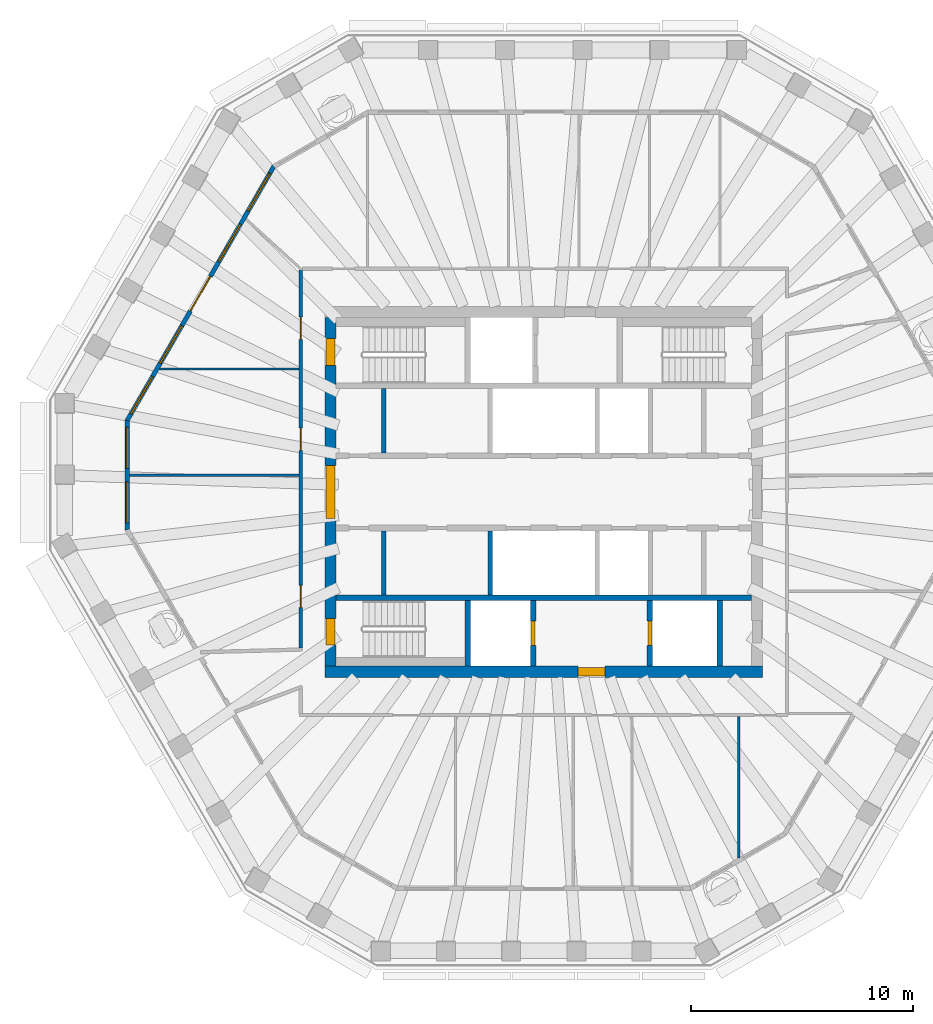
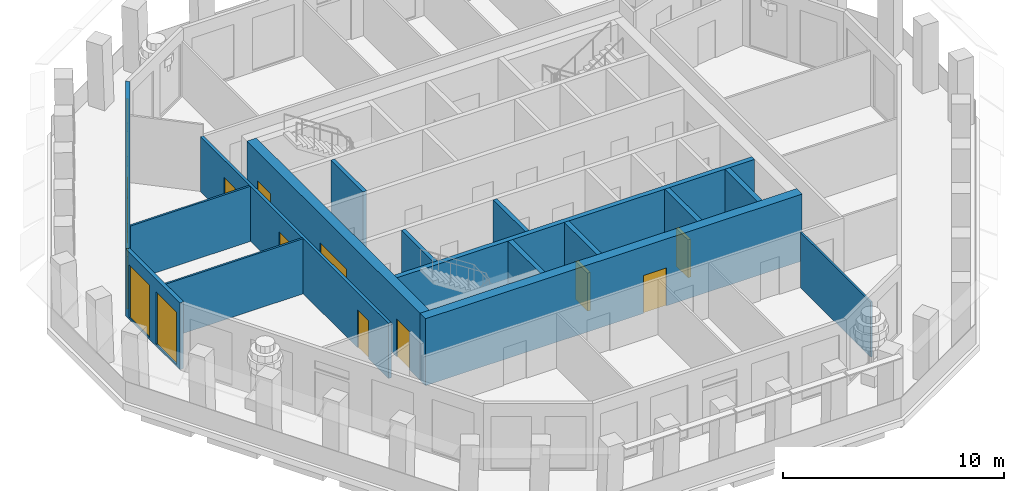
# One storey, part 4 of 11: 16 walls, 10 doors, 7 windows, 17 openings.
"""IFC4 building model written with IfcOpenShell, lengths in metres."""

from ifc_helpers import new_model, si_unit, direction, frame, frame_2d, origin, place, context, subcontext, project, spatial, polyline, rectangle, outline, extrude, material, layer, layer_set, type_object, element, fill, save


model = new_model("IFC4")

# Units and contexts
model_context = context("Model", 3, precision=1e-05, world=origin(), true_north=direction((0.0, 1.0)))
body_context = subcontext(model_context, "Body", "Model", "MODEL_VIEW")
ifc_project = project(units=[si_unit("LENGTHUNIT", "METRE"), si_unit("AREAUNIT", "SQUARE_METRE"), si_unit("VOLUMEUNIT", "CUBIC_METRE"), si_unit("PLANEANGLEUNIT", "RADIAN"), si_unit("MASSUNIT", "GRAM", prefix="KILO")], contexts=[model_context])

# Site, building, storey
site_placement = place(None, origin())
site = spatial("IfcSite", under=ifc_project, at=site_placement, CompositionType="ELEMENT")
building_placement = place(site_placement, origin())
building = spatial("IfcBuilding", under=site, at=building_placement, Name="Frailejon Research Tower", CompositionType="ELEMENT")
storey_placement = place(building_placement, frame((0.0, 0.0, 332.60009765625)))
storey = spatial("IfcBuildingStorey", under=building, at=storey_placement, Name="L74", CompositionType="ELEMENT", Elevation=332.60009765625)

# Wall, opening, door
ifc_material_1 = material(Name="Concrete C50/60", Category="concrete")
ifc_layer_1 = layer(ifc_material_1, 0.5)
ifc_layer_set_1 = layer_set([ifc_layer_1], Name="Core shear wall 500 C50/60")
wall_type_1 = type_object("IfcWallType", Name="Core shear wall 500 C50/60", PredefinedType="SHEAR", material=ifc_layer_set_1)
wall_1_placement = place(storey_placement, frame((-9.85009765625, -8.10009765625, 0.0), z_axis=(0.0, 0.0, 1.0), x_axis=(1.0, 0.0, 0.0)))
wall_1 = element("IfcWall", 1, at=wall_1_placement, inside=storey, type_object=wall_type_1, Name="Core shear wall", PredefinedType="SHEAR", context=body_context, shape_type="SweptSolid", body=[
    extrude(rectangle(XDim=19.7001953125, YDim=0.5, at=frame_2d((9.85009765625, 0.0))), origin(), (0.0, 0.0, 1.0), 3.699951171875),
])
opening_1_placement = place(wall_1_placement, frame((11.39990234375, 0.0, 0.0)))
opening_1 = element("IfcOpeningElement", 2, at=opening_1_placement, cuts=wall_1, Name="Opening D3", PredefinedType="OPENING", context=body_context, shape_type="SweptSolid", body=[
    extrude(rectangle(XDim=1.199951171875, YDim=2.10009765625, at=frame_2d((0.60009765625, 1.050048828125))), frame((0.0, 0.260009765625, 0.0), z_axis=(0.0, -1.0, 0.0), x_axis=(1.0, 0.0, 0.0)), (0.0, 0.0, 1.0), 0.52001953125),
])
ifc_material_2 = material(Name="Steel", Category="steel")
door_type_1 = type_object("IfcDoorType", Name="Firefighting lobby door", OperationType="SINGLE_SWING_LEFT", PredefinedType="DOOR", material=ifc_material_2)
door_1_placement = place(opening_1_placement, origin())
door_1 = element("IfcDoor", 3, at=door_1_placement, inside=storey, type_object=door_type_1, Name="Firefighting lobby door", OperationType="SINGLE_SWING_LEFT", OverallHeight=2.10009765625, OverallWidth=1.199951171875, PredefinedType="DOOR", context=body_context, shape_type="SweptSolid", body=[
    extrude(rectangle(XDim=1.199951171875, YDim=2.10009765625, at=frame_2d((0.60009765625, 1.050048828125))), frame((0.0, 0.199951171875, 0.0), z_axis=(0.0, -1.0, 0.0), x_axis=(1.0, 0.0, 0.0)), (0.0, 0.0, 1.0), 0.39990234375),
])
fill(opening_1, door_1)

# Wall, openings, doors
wall_2_placement = place(storey_placement, frame((-9.60009765625, -7.85009765625, 0.0), z_axis=(0.0, 0.0, 1.0), x_axis=(0.0, 1.0, 0.0)))
wall_2 = element("IfcWall", 4, at=wall_2_placement, inside=storey, type_object=wall_type_1, Name="Core shear wall", PredefinedType="SHEAR", context=body_context, shape_type="SweptSolid", body=[
    extrude(rectangle(XDim=15.7001953125, YDim=0.5, at=frame_2d((7.85009765625, 0.0))), origin(), (0.0, 0.0, 1.0), 3.699951171875),
])
opening_2_placement = place(wall_2_placement, frame((6.64990234375, 0.0, 0.0)))
opening_2 = element("IfcOpeningElement", 5, at=opening_2_placement, cuts=wall_2, Name="Opening D2", PredefinedType="OPENING", context=body_context, shape_type="SweptSolid", body=[
    extrude(rectangle(XDim=2.39990234375, YDim=2.10009765625, at=frame_2d((1.199951171875, 1.050048828125))), frame((0.0, 0.260009765625, 0.0), z_axis=(0.0, -1.0, 0.0), x_axis=(1.0, 0.0, 0.0)), (0.0, 0.0, 1.0), 0.52001953125),
])
opening_3_placement = place(wall_2_placement, frame((13.550048828125, 0.0, 0.0)))
opening_3 = element("IfcOpeningElement", 6, at=opening_3_placement, cuts=wall_2, Name="Opening D1", PredefinedType="OPENING", context=body_context, shape_type="SweptSolid", body=[
    extrude(rectangle(XDim=1.199951171875, YDim=2.10009765625, at=frame_2d((0.60009765625, 1.050048828125))), frame((0.0, 0.260009765625, 0.0), z_axis=(0.0, -1.0, 0.0), x_axis=(1.0, 0.0, 0.0)), (0.0, 0.0, 1.0), 0.52001953125),
])
opening_4_placement = place(wall_2_placement, frame((0.949951171875, 0.0, 0.0)))
opening_4 = element("IfcOpeningElement", 7, at=opening_4_placement, cuts=wall_2, Name="Opening D1", PredefinedType="OPENING", context=body_context, shape_type="SweptSolid", body=[
    extrude(rectangle(XDim=1.199951171875, YDim=2.10009765625, at=frame_2d((0.60009765625, 1.050048828125))), frame((0.0, 0.260009765625, 0.0), z_axis=(0.0, -1.0, 0.0), x_axis=(1.0, 0.0, 0.0)), (0.0, 0.0, 1.0), 0.52001953125),
])
ifc_material_3 = material(Name="Steel", Category="steel")
door_type_2 = type_object("IfcDoorType", Name="Lobby double door", OperationType="DOUBLE_DOOR_SINGLE_SWING", PredefinedType="DOOR", material=ifc_material_3)
door_2_placement = place(opening_2_placement, origin())
door_2 = element("IfcDoor", 8, at=door_2_placement, inside=storey, type_object=door_type_2, Name="Lobby door", OperationType="DOUBLE_DOOR_SINGLE_SWING", OverallHeight=2.10009765625, OverallWidth=2.39990234375, PredefinedType="DOOR", context=body_context, shape_type="SweptSolid", body=[
    extrude(rectangle(XDim=2.39990234375, YDim=2.10009765625, at=frame_2d((1.199951171875, 1.050048828125))), frame((0.0, 0.199951171875, 0.0), z_axis=(0.0, -1.0, 0.0), x_axis=(1.0, 0.0, 0.0)), (0.0, 0.0, 1.0), 0.39990234375),
])
fill(opening_2, door_2)
ifc_material_4 = material(Name="Steel", Category="steel")
door_type_3 = type_object("IfcDoorType", Name="Stair door", OperationType="SINGLE_SWING_LEFT", PredefinedType="DOOR", material=ifc_material_4)
door_3_placement = place(opening_3_placement, origin())
door_3 = element("IfcDoor", 9, at=door_3_placement, inside=storey, type_object=door_type_3, Name="Stair door ST1", OperationType="SINGLE_SWING_RIGHT", OverallHeight=2.10009765625, OverallWidth=1.199951171875, PredefinedType="DOOR", context=body_context, shape_type="SweptSolid", body=[
    extrude(rectangle(XDim=1.199951171875, YDim=2.10009765625, at=frame_2d((0.60009765625, 1.050048828125))), frame((0.0, 0.199951171875, 0.0), z_axis=(0.0, -1.0, 0.0), x_axis=(1.0, 0.0, 0.0)), (0.0, 0.0, 1.0), 0.39990234375),
])
fill(opening_3, door_3)
door_4_placement = place(opening_4_placement, origin())
door_4 = element("IfcDoor", 10, at=door_4_placement, inside=storey, type_object=door_type_3, Name="Stair door ST2", OperationType="SINGLE_SWING_LEFT", OverallHeight=2.10009765625, OverallWidth=1.199951171875, PredefinedType="DOOR", context=body_context, shape_type="SweptSolid", body=[
    extrude(rectangle(XDim=1.199951171875, YDim=2.10009765625, at=frame_2d((0.60009765625, 1.050048828125))), frame((0.0, 0.199951171875, 0.0), z_axis=(0.0, -1.0, 0.0), x_axis=(1.0, 0.0, 0.0)), (0.0, 0.0, 1.0), 0.39990234375),
])
fill(opening_4, door_4)

ifc_material_5 = material(Name="Gypsum board and masonry partition", Category="masonry")
ifc_layer_2 = layer(ifc_material_5, 0.14990234375)
ifc_layer_set_2 = layer_set([ifc_layer_2], Name="Corridor wall EI 60, gypsum on steel studs 150")
wall_type_2 = type_object("IfcWallType", Name="Corridor wall EI 60, gypsum on steel studs 150", PredefinedType="PARTITIONING", material=ifc_layer_set_2)
wall_3_placement = place(storey_placement, frame((-10.949951171875, -7.02490234375, 0.0), z_axis=(0.0, 0.0, 1.0), x_axis=(0.0, 1.0, 0.0)))
wall_3 = element("IfcWall", 11, at=wall_3_placement, inside=storey, type_object=wall_type_2, Name="T:IW:L74:007", PredefinedType="PARTITIONING", context=body_context, shape_type="SweptSolid", body=[
    extrude(rectangle(XDim=17.02490234375, YDim=0.14990234375, at=frame_2d((8.512451171875, 0.0))), origin(), (0.0, 0.0, 1.0), 3.0498046875),
])
opening_5_placement = place(wall_3_placement, frame((13.893798828125, 0.0, 0.0)))
opening_5 = element("IfcOpeningElement", 12, at=opening_5_placement, cuts=wall_3, Name="Opening D2387", PredefinedType="OPENING", context=body_context, shape_type="SweptSolid", body=[
    extrude(rectangle(XDim=1.0, YDim=2.10009765625, at=frame_2d((0.5, 1.050048828125))), frame((0.0, 0.0849609375, 0.0), z_axis=(0.0, -1.0, 0.0), x_axis=(1.0, 0.0, 0.0)), (0.0, 0.0, 1.0), 0.169921875),
])
opening_6_placement = place(wall_3_placement, frame((8.89892578125, 0.0, 0.0)))
opening_6 = element("IfcOpeningElement", 13, at=opening_6_placement, cuts=wall_3, Name="Opening D2388", PredefinedType="OPENING", context=body_context, shape_type="SweptSolid", body=[
    extrude(rectangle(XDim=1.0, YDim=2.10009765625, at=frame_2d((0.5, 1.050048828125))), frame((0.0, 0.0849609375, 0.0), z_axis=(0.0, -1.0, 0.0), x_axis=(1.0, 0.0, 0.0)), (0.0, 0.0, 1.0), 0.169921875),
])
opening_7_placement = place(wall_3_placement, frame((1.813720703125, 0.0, 0.0)))
opening_7 = element("IfcOpeningElement", 14, at=opening_7_placement, cuts=wall_3, Name="Opening D2389", PredefinedType="OPENING", context=body_context, shape_type="SweptSolid", body=[
    extrude(rectangle(XDim=1.0, YDim=2.10009765625, at=frame_2d((0.5, 1.050048828125))), frame((0.0, 0.0849609375, 0.0), z_axis=(0.0, -1.0, 0.0), x_axis=(1.0, 0.0, 0.0)), (0.0, 0.0, 1.0), 0.169921875),
])
ifc_material_6 = material(Name="Timber door leaf", Category="wood")
door_type_4 = type_object("IfcDoorType", Name="Door single leaf, timber, steel frame 1000", OperationType="NOTDEFINED", PredefinedType="DOOR", material=ifc_material_6)
door_5_placement = place(opening_5_placement, origin())
door_5 = element("IfcDoor", 15, at=door_5_placement, inside=storey, type_object=door_type_4, Name="D2387", OperationType="SINGLE_SWING_LEFT", OverallHeight=2.10009765625, OverallWidth=1.0, PredefinedType="DOOR", context=body_context, shape_type="SweptSolid", body=[
    extrude(rectangle(XDim=1.0, YDim=2.10009765625, at=frame_2d((0.5, 1.050048828125))), frame((0.0, 0.02490234375, 0.0), z_axis=(0.0, -1.0, 0.0), x_axis=(1.0, 0.0, 0.0)), (0.0, 0.0, 1.0), 0.050048828125),
])
fill(opening_5, door_5)
door_6_placement = place(opening_6_placement, origin())
door_6 = element("IfcDoor", 16, at=door_6_placement, inside=storey, type_object=door_type_4, Name="D2388", OperationType="SINGLE_SWING_LEFT", OverallHeight=2.10009765625, OverallWidth=1.0, PredefinedType="DOOR", context=body_context, shape_type="SweptSolid", body=[
    extrude(rectangle(XDim=1.0, YDim=2.10009765625, at=frame_2d((0.5, 1.050048828125))), frame((0.0, 0.02490234375, 0.0), z_axis=(0.0, -1.0, 0.0), x_axis=(1.0, 0.0, 0.0)), (0.0, 0.0, 1.0), 0.050048828125),
])
fill(opening_6, door_6)
door_7_placement = place(opening_7_placement, origin())
door_7 = element("IfcDoor", 17, at=door_7_placement, inside=storey, type_object=door_type_4, Name="D2389", OperationType="SINGLE_SWING_LEFT", OverallHeight=2.10009765625, OverallWidth=1.0, PredefinedType="DOOR", context=body_context, shape_type="SweptSolid", body=[
    extrude(rectangle(XDim=1.0, YDim=2.10009765625, at=frame_2d((0.5, 1.050048828125))), frame((0.0, 0.02490234375, 0.0), z_axis=(0.0, -1.0, 0.0), x_axis=(1.0, 0.0, 0.0)), (0.0, 0.0, 1.0), 0.050048828125),
])
fill(opening_7, door_7)

# Walls
ifc_material_7 = material(Name="Gypsum board and masonry partition", Category="masonry")
ifc_layer_3 = layer(ifc_material_7, 0.10009765625)
ifc_layer_set_3 = layer_set([ifc_layer_3], Name="Partition, gypsum on steel studs 100")
wall_type_3 = type_object("IfcWallType", Name="Partition, gypsum on steel studs 100", PredefinedType="PARTITIONING", material=ifc_layer_set_3)
wall_4_placement = place(storey_placement, frame((-18.6630859375, 0.754150390625, 0.0), z_axis=(0.0, 0.0, 1.0), x_axis=(1.0, 0.0, 0.0)))
element("IfcWall", 18, at=wall_4_placement, inside=storey, type_object=wall_type_3, Name="T:IW:L74:011", PredefinedType="PARTITIONING", context=body_context, shape_type="SweptSolid", body=[
    extrude(rectangle(XDim=7.63818359375, YDim=0.10009765625, at=frame_2d((3.819091796875, 0.0))), origin(), (0.0, 0.0, 1.0), 3.0498046875),
])
wall_5_placement = place(storey_placement, frame((-17.306396484375, 5.532958984375, 0.0), z_axis=(0.0, 0.0, 1.0), x_axis=(1.0, 0.0, 0.0)))
element("IfcWall", 19, at=wall_5_placement, inside=storey, type_object=wall_type_3, Name="T:IW:L74:019", PredefinedType="PARTITIONING", context=body_context, shape_type="SweptSolid", body=[
    extrude(rectangle(XDim=6.281494140625, YDim=0.10009765625, at=frame_2d((3.140625, 0.0))), origin(), (0.0, 0.0, 1.0), 3.0498046875),
])
wall_6_placement = place(storey_placement, frame((8.7783203125, -16.48193359375, 0.0), z_axis=(0.0, 0.0, 1.0), x_axis=(0.0, 1.0, 0.0)))
element("IfcWall", 20, at=wall_6_placement, inside=storey, type_object=wall_type_3, Name="T:IW:L74:023", PredefinedType="PARTITIONING", context=body_context, shape_type="SweptSolid", body=[
    extrude(rectangle(XDim=6.35693359375, YDim=0.10009765625, at=frame_2d((3.178466796875, 0.0))), origin(), (0.0, 0.0, 1.0), 3.0498046875),
])
ifc_material_8 = material(Name="Concrete C50/60", Category="concrete")
ifc_layer_4 = layer(ifc_material_8, 0.199951171875)
ifc_layer_set_4 = layer_set([ifc_layer_4], Name="Shaft wall 200 C50/60")
wall_type_4 = type_object("IfcWallType", Name="Shaft wall 200 C50/60", PredefinedType="SOLIDWALL", material=ifc_layer_set_4)
for number, where, z_axis, x_axis, name in (
    (21, (-7.199951171875, 1.75, 0.0), (0.0, 0.0, 1.0), (0.0, 1.0, 0.0), "Shaft wall"),
    (22, (-7.199951171875, -4.64990234375, 0.0), (0.0, 0.0, 1.0), (0.0, 1.0, 0.0), "Shaft wall"),
    (23, (-2.39990234375, -4.64990234375, 0.0), (0.0, 0.0, 1.0), (0.0, 1.0, 0.0), "Shaft wall"),
):
    element("IfcWall", number, at=place(storey_placement, frame(where, z_axis=z_axis, x_axis=x_axis)), inside=storey, type_object=wall_type_4, Name=name, PredefinedType="SOLIDWALL", context=body_context, shape_type="SweptSolid", body=[
        extrude(rectangle(XDim=2.89990234375, YDim=0.199951171875, at=frame_2d((1.449951171875, 0.0))), origin(), (0.0, 0.0, 1.0), 3.699951171875),
    ])
ifc_material_9 = material(Name="Concrete C50/60", Category="concrete")
ifc_layer_5 = layer(ifc_material_9, 0.25)
ifc_layer_set_5 = layer_set([ifc_layer_5], Name="Shaft wall 250 C50/60")
wall_type_5 = type_object("IfcWallType", Name="Shaft wall 250 C50/60", PredefinedType="SOLIDWALL", material=ifc_layer_set_5)
wall_7_placement = place(storey_placement, frame((-9.35009765625, -4.77490234375, 0.0), z_axis=(0.0, 0.0, 1.0), x_axis=(1.0, 0.0, 0.0)))
element("IfcWall", 24, at=wall_7_placement, inside=storey, type_object=wall_type_5, Name="Shaft wall", PredefinedType="SOLIDWALL", context=body_context, shape_type="SweptSolid", body=[
    extrude(rectangle(XDim=18.7001953125, YDim=0.25, at=frame_2d((9.35009765625, 0.0))), origin(), (0.0, 0.0, 1.0), 3.699951171875),
])
wall_8_placement = place(storey_placement, frame((-3.425048828125, -7.85009765625, 0.0), z_axis=(0.0, 0.0, 1.0), x_axis=(0.0, 1.0, 0.0)))
element("IfcWall", 25, at=wall_8_placement, inside=storey, type_object=wall_type_5, Name="Shaft wall", PredefinedType="SOLIDWALL", context=body_context, shape_type="SweptSolid", body=[
    extrude(rectangle(XDim=2.9501953125, YDim=0.25, at=frame_2d((1.47509765625, 0.0))), origin(), (0.0, 0.0, 1.0), 3.699951171875),
])

# Wall, opening, door
wall_9_placement = place(storey_placement, frame((-0.47509765625, -7.85009765625, 0.0), z_axis=(0.0, 0.0, 1.0), x_axis=(0.0, 1.0, 0.0)))
wall_9 = element("IfcWall", 26, at=wall_9_placement, inside=storey, type_object=wall_type_5, Name="Shaft wall", PredefinedType="SOLIDWALL", context=body_context, shape_type="SweptSolid", body=[
    extrude(rectangle(XDim=2.9501953125, YDim=0.25, at=frame_2d((1.47509765625, 0.0))), origin(), (0.0, 0.0, 1.0), 3.699951171875),
])
opening_8_placement = place(wall_9_placement, frame((0.925048828125, 0.0, 0.0)))
opening_8 = element("IfcOpeningElement", 27, at=opening_8_placement, cuts=wall_9, Name="Opening LD", PredefinedType="OPENING", context=body_context, shape_type="SweptSolid", body=[
    extrude(rectangle(XDim=1.10009765625, YDim=2.10009765625, at=frame_2d((0.550048828125, 1.050048828125))), frame((0.0, 0.135009765625, 0.0), z_axis=(0.0, -1.0, 0.0), x_axis=(1.0, 0.0, 0.0)), (0.0, 0.0, 1.0), 0.27001953125),
])
ifc_material_10 = material(Name="Steel", Category="steel")
door_type_5 = type_object("IfcDoorType", Name="Lift landing door", OperationType="DOUBLE_DOOR_SLIDING", PredefinedType="DOOR", material=ifc_material_10)
door_8_placement = place(opening_8_placement, origin())
door_8 = element("IfcDoor", 28, at=door_8_placement, inside=storey, type_object=door_type_5, Name="Lift landing door", OperationType="DOUBLE_DOOR_SLIDING", OverallHeight=2.10009765625, OverallWidth=1.10009765625, PredefinedType="DOOR", context=body_context, shape_type="SweptSolid", body=[
    extrude(rectangle(XDim=1.10009765625, YDim=2.10009765625, at=frame_2d((0.550048828125, 1.050048828125))), frame((0.0, 0.074951171875, 0.0), z_axis=(0.0, -1.0, 0.0), x_axis=(1.0, 0.0, 0.0)), (0.0, 0.0, 1.0), 0.14990234375),
])
fill(opening_8, door_8)

wall_10_placement = place(storey_placement, frame((4.77490234375, -7.85009765625, 0.0), z_axis=(0.0, 0.0, 1.0), x_axis=(0.0, 1.0, 0.0)))
wall_10 = element("IfcWall", 29, at=wall_10_placement, inside=storey, type_object=wall_type_5, Name="Shaft wall", PredefinedType="SOLIDWALL", context=body_context, shape_type="SweptSolid", body=[
    extrude(rectangle(XDim=2.9501953125, YDim=0.25, at=frame_2d((1.47509765625, 0.0))), origin(), (0.0, 0.0, 1.0), 3.699951171875),
])
opening_9_placement = place(wall_10_placement, frame((0.925048828125, 0.0, 0.0)))
opening_9 = element("IfcOpeningElement", 30, at=opening_9_placement, cuts=wall_10, Name="Opening LD", PredefinedType="OPENING", context=body_context, shape_type="SweptSolid", body=[
    extrude(rectangle(XDim=1.10009765625, YDim=2.10009765625, at=frame_2d((0.550048828125, 1.050048828125))), frame((0.0, 0.135009765625, 0.0), z_axis=(0.0, -1.0, 0.0), x_axis=(1.0, 0.0, 0.0)), (0.0, 0.0, 1.0), 0.27001953125),
])
door_9_placement = place(opening_9_placement, origin())
door_9 = element("IfcDoor", 31, at=door_9_placement, inside=storey, type_object=door_type_5, Name="Lift landing door", OperationType="DOUBLE_DOOR_SLIDING", OverallHeight=2.10009765625, OverallWidth=1.10009765625, PredefinedType="DOOR", context=body_context, shape_type="SweptSolid", body=[
    extrude(rectangle(XDim=1.10009765625, YDim=2.10009765625, at=frame_2d((0.550048828125, 1.050048828125))), frame((0.0, 0.074951171875, 0.0), z_axis=(0.0, -1.0, 0.0), x_axis=(1.0, 0.0, 0.0)), (0.0, 0.0, 1.0), 0.14990234375),
])
fill(opening_9, door_9)

# Wall
wall_11_placement = place(storey_placement, frame((7.925048828125, -7.85009765625, 0.0), z_axis=(0.0, 0.0, 1.0), x_axis=(0.0, 1.0, 0.0)))
element("IfcWall", 32, at=wall_11_placement, inside=storey, type_object=wall_type_5, Name="Shaft wall", PredefinedType="SOLIDWALL", context=body_context, shape_type="SweptSolid", body=[
    extrude(rectangle(XDim=2.9501953125, YDim=0.25, at=frame_2d((1.47509765625, 0.0))), origin(), (0.0, 0.0, 1.0), 3.699951171875),
])

# Wall, openings, door, windows
ifc_material_11 = material(Name="Concrete C40/50 precast window wall panel", Category="concrete")
ifc_layer_6 = layer(ifc_material_11, 0.199951171875)
ifc_layer_set_6 = layer_set([ifc_layer_6], Name="Window wall 200")
wall_type_6 = type_object("IfcWallType", Name="Window wall 200", PredefinedType="SOLIDWALL", material=ifc_layer_set_6)
wall_12_placement = place(storey_placement, frame((-12.16162109375, 14.644287109375, 0.0), z_axis=(0.0, 0.0, 1.0), x_axis=(-0.499983359811, -0.866035010789, 0.0)))
wall_12 = element("IfcWall", 33, at=wall_12_placement, inside=storey, type_object=wall_type_6, Name="Exterior wall L74", PredefinedType="SOLIDWALL", context=body_context, shape_type="SweptSolid", body=[
    extrude(outline(polyline([(-0.02685546875, -0.10009765625), (0.992919921875, -0.10009765625), (2.0126953125, -0.10009765625), (3.032470703125, -0.10009765625), (4.05224609375, -0.10009765625), (5.072021484375, -0.10009765625), (6.091796875, -0.10009765625), (7.111328125, -0.10009765625), (8.131103515625, -0.10009765625), (9.15087890625, -0.10009765625), (10.170654296875, -0.10009765625), (11.1904296875, -0.10009765625), (12.210205078125, -0.10009765625), (13.22998046875, -0.10009765625), (13.17626953125, 0.10009765625), (12.164794921875, 0.10009765625), (11.1533203125, 0.10009765625), (10.141845703125, 0.10009765625), (9.13037109375, 0.10009765625), (8.118896484375, 0.10009765625), (7.107421875, 0.10009765625), (6.095703125, 0.10009765625), (5.084228515625, 0.10009765625), (4.07275390625, 0.10009765625), (3.061279296875, 0.10009765625), (2.0498046875, 0.10009765625), (1.038330078125, 0.10009765625), (0.02685546875, 0.10009765625), (-0.02685546875, -0.10009765625)])), origin(), (0.0, 0.0, 1.0), 3.699951171875),
])
opening_10_placement = place(wall_12_placement, frame((0.34521484375, 0.0, 0.10009765625)))
opening_10 = element("IfcOpeningElement", 34, at=opening_10_placement, cuts=wall_12, Name="Opening W27", PredefinedType="OPENING", context=body_context, shape_type="SweptSolid", body=[
    extrude(rectangle(XDim=1.949951171875, YDim=2.89990234375, at=frame_2d((0.97509765625, 1.449951171875))), frame((0.0, 0.10986328125, 0.0), z_axis=(0.0, -1.0, 0.0), x_axis=(1.0, 0.0, 0.0)), (0.0, 0.0, 1.0), 0.219970703125),
])
opening_11_placement = place(wall_12_placement, frame((2.98583984375, 0.0, 0.10009765625)))
opening_11 = element("IfcOpeningElement", 35, at=opening_11_placement, cuts=wall_12, Name="Opening W27", PredefinedType="OPENING", context=body_context, shape_type="SweptSolid", body=[
    extrude(rectangle(XDim=1.949951171875, YDim=2.89990234375, at=frame_2d((0.97509765625, 1.449951171875))), frame((0.0, 0.10986328125, 0.0), z_axis=(0.0, -1.0, 0.0), x_axis=(1.0, 0.0, 0.0)), (0.0, 0.0, 1.0), 0.219970703125),
])
opening_12_placement = place(wall_12_placement, frame((5.701416015625, 0.0, 0.0)))
opening_12 = element("IfcOpeningElement", 36, at=opening_12_placement, cuts=wall_12, Name="Opening LG74-3", PredefinedType="OPENING", context=body_context, shape_type="SweptSolid", body=[
    extrude(rectangle(XDim=1.800048828125, YDim=2.39990234375, at=frame_2d((0.89990234375, 1.199951171875))), frame((0.0, 0.10986328125, 0.0), z_axis=(0.0, -1.0, 0.0), x_axis=(1.0, 0.0, 0.0)), (0.0, 0.0, 1.0), 0.219970703125),
])
opening_13_placement = place(wall_12_placement, frame((5.701416015625, 0.0, 2.550048828125)))
opening_13 = element("IfcOpeningElement", 37, at=opening_13_placement, cuts=wall_12, Name="Opening W1", PredefinedType="OPENING", context=body_context, shape_type="SweptSolid", body=[
    extrude(rectangle(XDim=1.800048828125, YDim=0.449951171875, at=frame_2d((0.89990234375, 0.22509765625))), frame((0.0, 0.10986328125, 0.0), z_axis=(0.0, -1.0, 0.0), x_axis=(1.0, 0.0, 0.0)), (0.0, 0.0, 1.0), 0.219970703125),
])
opening_14_placement = place(wall_12_placement, frame((8.26708984375, 0.0, 0.10009765625)))
opening_14 = element("IfcOpeningElement", 38, at=opening_14_placement, cuts=wall_12, Name="Opening W27", PredefinedType="OPENING", context=body_context, shape_type="SweptSolid", body=[
    extrude(rectangle(XDim=1.949951171875, YDim=2.89990234375, at=frame_2d((0.97509765625, 1.449951171875))), frame((0.0, 0.10986328125, 0.0), z_axis=(0.0, -1.0, 0.0), x_axis=(1.0, 0.0, 0.0)), (0.0, 0.0, 1.0), 0.219970703125),
])
opening_15_placement = place(wall_12_placement, frame((10.90771484375, 0.0, 0.10009765625)))
opening_15 = element("IfcOpeningElement", 39, at=opening_15_placement, cuts=wall_12, Name="Opening W27", PredefinedType="OPENING", context=body_context, shape_type="SweptSolid", body=[
    extrude(rectangle(XDim=1.949951171875, YDim=2.89990234375, at=frame_2d((0.97509765625, 1.449951171875))), frame((0.0, 0.10986328125, 0.0), z_axis=(0.0, -1.0, 0.0), x_axis=(1.0, 0.0, 0.0)), (0.0, 0.0, 1.0), 0.219970703125),
])
ifc_material_12 = material(Name="Aluminium framed glazed door leaf", Category="aluminium")
door_type_6 = type_object("IfcDoorType", Name="Loggia door 1800x2400", OperationType="DOUBLE_DOOR_SINGLE_SWING", PredefinedType="DOOR", material=ifc_material_12)
door_10_placement = place(opening_12_placement, origin())
door_10 = element("IfcDoor", 40, at=door_10_placement, inside=storey, type_object=door_type_6, Name="Door LG74-3", OperationType="DOUBLE_DOOR_SINGLE_SWING", OverallHeight=2.39990234375, OverallWidth=1.800048828125, PredefinedType="DOOR", context=body_context, shape_type="SweptSolid", body=[
    extrude(rectangle(XDim=1.800048828125, YDim=2.39990234375, at=frame_2d((0.89990234375, 1.199951171875))), frame((0.0, 0.02490234375, 0.0), z_axis=(0.0, -1.0, 0.0), x_axis=(1.0, 0.0, 0.0)), (0.0, 0.0, 1.0), 0.050048828125),
])
fill(opening_12, door_10)
ifc_material_13 = material(Name="Aluminium framed double glazing", Category="aluminium")
window_type_1 = type_object("IfcWindowType", Name="Window 1800x450", PartitioningType="SINGLE_PANEL", PredefinedType="WINDOW", material=ifc_material_13)
window_1_placement = place(opening_13_placement, origin())
window_1 = element("IfcWindow", 41, at=window_1_placement, inside=storey, type_object=window_type_1, Name="Window L74", OverallHeight=0.449951171875, OverallWidth=1.800048828125, PartitioningType="SINGLE_PANEL", PredefinedType="WINDOW", context=body_context, shape_type="SweptSolid", body=[
    extrude(rectangle(XDim=1.800048828125, YDim=0.449951171875, at=frame_2d((0.89990234375, 0.22509765625))), frame((0.0, 0.030029296875, 0.0), z_axis=(0.0, -1.0, 0.0), x_axis=(1.0, 0.0, 0.0)), (0.0, 0.0, 1.0), 0.06005859375),
])
fill(opening_13, window_1)
ifc_material_14 = material(Name="Aluminium framed double glazing", Category="aluminium")
window_type_2 = type_object("IfcWindowType", Name="Window 1950x2900", PartitioningType="SINGLE_PANEL", PredefinedType="WINDOW", material=ifc_material_14)
window_2_placement = place(opening_10_placement, origin())
window_2 = element("IfcWindow", 42, at=window_2_placement, inside=storey, type_object=window_type_2, Name="Window L74", OverallHeight=2.89990234375, OverallWidth=1.949951171875, PartitioningType="SINGLE_PANEL", PredefinedType="WINDOW", context=body_context, shape_type="SweptSolid", body=[
    extrude(rectangle(XDim=1.949951171875, YDim=2.89990234375, at=frame_2d((0.97509765625, 1.449951171875))), frame((0.0, 0.030029296875, 0.0), z_axis=(0.0, -1.0, 0.0), x_axis=(1.0, 0.0, 0.0)), (0.0, 0.0, 1.0), 0.06005859375),
])
fill(opening_10, window_2)
window_3_placement = place(opening_11_placement, origin())
window_3 = element("IfcWindow", 43, at=window_3_placement, inside=storey, type_object=window_type_2, Name="Window L74", OverallHeight=2.89990234375, OverallWidth=1.949951171875, PartitioningType="SINGLE_PANEL", PredefinedType="WINDOW", context=body_context, shape_type="SweptSolid", body=[
    extrude(rectangle(XDim=1.949951171875, YDim=2.89990234375, at=frame_2d((0.97509765625, 1.449951171875))), frame((0.0, 0.030029296875, 0.0), z_axis=(0.0, -1.0, 0.0), x_axis=(1.0, 0.0, 0.0)), (0.0, 0.0, 1.0), 0.06005859375),
])
fill(opening_11, window_3)
window_4_placement = place(opening_14_placement, origin())
window_4 = element("IfcWindow", 44, at=window_4_placement, inside=storey, type_object=window_type_2, Name="Window L74", OverallHeight=2.89990234375, OverallWidth=1.949951171875, PartitioningType="SINGLE_PANEL", PredefinedType="WINDOW", context=body_context, shape_type="SweptSolid", body=[
    extrude(rectangle(XDim=1.949951171875, YDim=2.89990234375, at=frame_2d((0.97509765625, 1.449951171875))), frame((0.0, 0.030029296875, 0.0), z_axis=(0.0, -1.0, 0.0), x_axis=(1.0, 0.0, 0.0)), (0.0, 0.0, 1.0), 0.06005859375),
])
fill(opening_14, window_4)
window_5_placement = place(opening_15_placement, origin())
window_5 = element("IfcWindow", 45, at=window_5_placement, inside=storey, type_object=window_type_2, Name="Window L74", OverallHeight=2.89990234375, OverallWidth=1.949951171875, PartitioningType="SINGLE_PANEL", PredefinedType="WINDOW", context=body_context, shape_type="SweptSolid", body=[
    extrude(rectangle(XDim=1.949951171875, YDim=2.89990234375, at=frame_2d((0.97509765625, 1.449951171875))), frame((0.0, 0.030029296875, 0.0), z_axis=(0.0, -1.0, 0.0), x_axis=(1.0, 0.0, 0.0)), (0.0, 0.0, 1.0), 0.06005859375),
])
fill(opening_15, window_5)

# Wall, openings, windows
wall_13_placement = place(storey_placement, frame((-18.762939453125, 3.2099609375, 0.0), z_axis=(0.0, 0.0, 1.0), x_axis=(0.0, -1.0, 0.0)))
wall_13 = element("IfcWall", 46, at=wall_13_placement, inside=storey, type_object=wall_type_6, Name="Exterior wall L74", PredefinedType="SOLIDWALL", context=body_context, shape_type="SweptSolid", body=[
    extrude(outline(polyline([(-0.02685546875, -0.10009765625), (1.21435546875, -0.10009765625), (2.455810546875, -0.10009765625), (3.697265625, -0.10009765625), (4.9384765625, -0.10009765625), (4.884765625, 0.10009765625), (3.67041015625, 0.10009765625), (2.455810546875, 0.10009765625), (1.2412109375, 0.10009765625), (0.02685546875, 0.10009765625), (-0.02685546875, -0.10009765625)])), origin(), (0.0, 0.0, 1.0), 3.699951171875),
])
opening_16_placement = place(wall_13_placement, frame((0.302978515625, 0.0, 0.10009765625)))
opening_16 = element("IfcOpeningElement", 47, at=opening_16_placement, cuts=wall_13, Name="Opening W26", PredefinedType="OPENING", context=body_context, shape_type="SweptSolid", body=[
    extrude(rectangle(XDim=1.85009765625, YDim=2.89990234375, at=frame_2d((0.925048828125, 1.449951171875))), frame((0.0, 0.10986328125, 0.0), z_axis=(0.0, -1.0, 0.0), x_axis=(1.0, 0.0, 0.0)), (0.0, 0.0, 1.0), 0.219970703125),
])
opening_17_placement = place(wall_13_placement, frame((2.7587890625, 0.0, 0.10009765625)))
opening_17 = element("IfcOpeningElement", 48, at=opening_17_placement, cuts=wall_13, Name="Opening W26", PredefinedType="OPENING", context=body_context, shape_type="SweptSolid", body=[
    extrude(rectangle(XDim=1.85009765625, YDim=2.89990234375, at=frame_2d((0.925048828125, 1.449951171875))), frame((0.0, 0.10986328125, 0.0), z_axis=(0.0, -1.0, 0.0), x_axis=(1.0, 0.0, 0.0)), (0.0, 0.0, 1.0), 0.219970703125),
])
ifc_material_15 = material(Name="Aluminium framed double glazing", Category="aluminium")
window_type_3 = type_object("IfcWindowType", Name="Window 1850x2900", PartitioningType="SINGLE_PANEL", PredefinedType="WINDOW", material=ifc_material_15)
window_6_placement = place(opening_16_placement, origin())
window_6 = element("IfcWindow", 49, at=window_6_placement, inside=storey, type_object=window_type_3, Name="Window L74", OverallHeight=2.89990234375, OverallWidth=1.85009765625, PartitioningType="SINGLE_PANEL", PredefinedType="WINDOW", context=body_context, shape_type="SweptSolid", body=[
    extrude(rectangle(XDim=1.85009765625, YDim=2.89990234375, at=frame_2d((0.925048828125, 1.449951171875))), frame((0.0, 0.030029296875, 0.0), z_axis=(0.0, -1.0, 0.0), x_axis=(1.0, 0.0, 0.0)), (0.0, 0.0, 1.0), 0.06005859375),
])
fill(opening_16, window_6)
window_7_placement = place(opening_17_placement, origin())
window_7 = element("IfcWindow", 50, at=window_7_placement, inside=storey, type_object=window_type_3, Name="Window L74", OverallHeight=2.89990234375, OverallWidth=1.85009765625, PartitioningType="SINGLE_PANEL", PredefinedType="WINDOW", context=body_context, shape_type="SweptSolid", body=[
    extrude(rectangle(XDim=1.85009765625, YDim=2.89990234375, at=frame_2d((0.925048828125, 1.449951171875))), frame((0.0, 0.030029296875, 0.0), z_axis=(0.0, -1.0, 0.0), x_axis=(1.0, 0.0, 0.0)), (0.0, 0.0, 1.0), 0.06005859375),
])
fill(opening_17, window_7)

save(model, "model.ifc")
